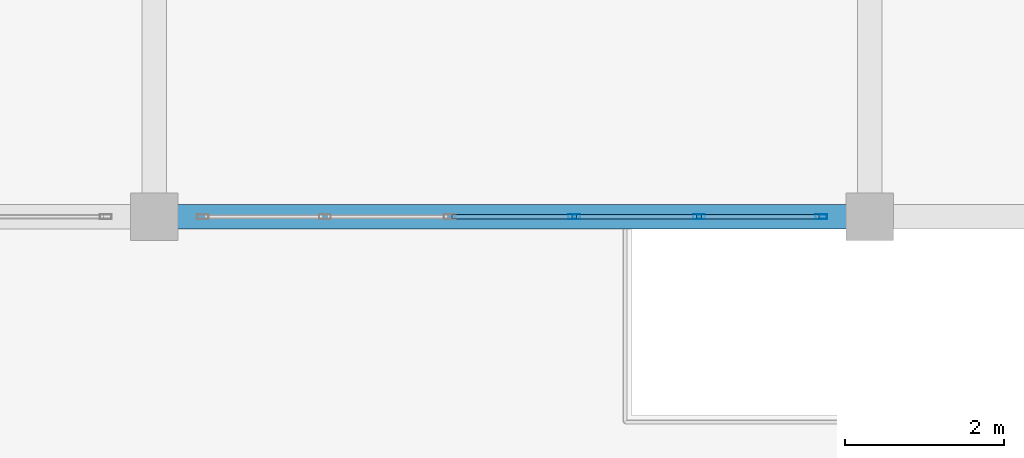
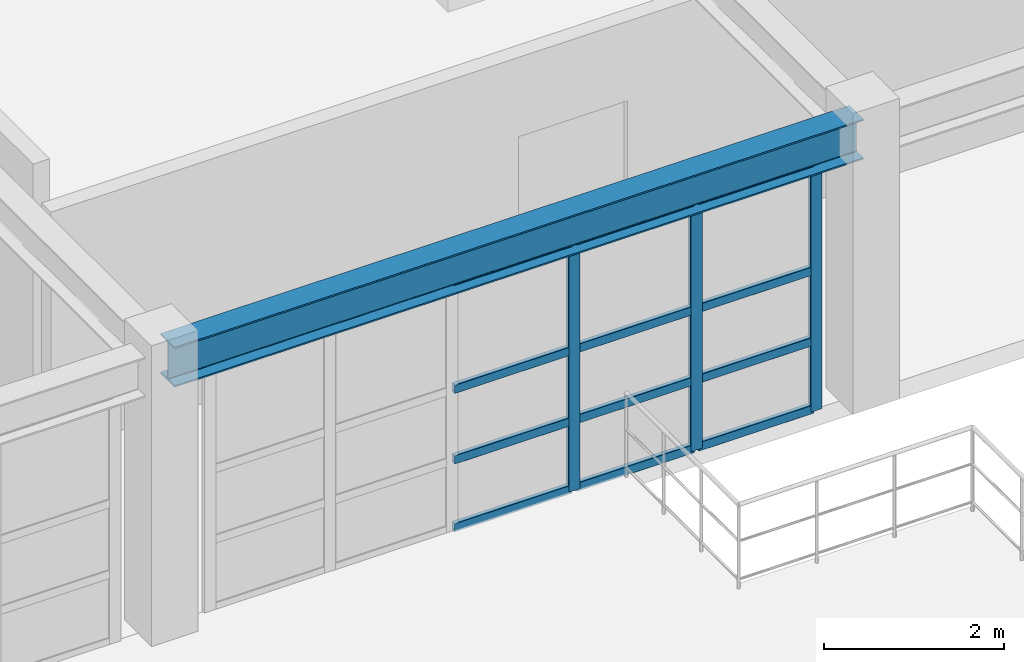
# One storey, part 53 of 80: 15 members, 1 beam, 1 element without a shape of its own.
"""IFC4 building model written with IfcOpenShell, lengths in metres."""

from ifc_helpers import new_model, si_unit, direction, frame, origin, origin_2d, place, context, subcontext, project, spatial, hollow_rectangle, i_section, extrude, material, material_profile, profile_set, type_object, element, aggregate, save


model = new_model("IFC4")

# Units and contexts
model_context = context("Model", 3, precision=1e-05, world=origin(), true_north=direction((0.0, 1.0)))
body_context = subcontext(model_context, "Body", "Model", "MODEL_VIEW")
ifc_project = project(units=[si_unit("LENGTHUNIT", "METRE"), si_unit("AREAUNIT", "SQUARE_METRE"), si_unit("VOLUMEUNIT", "CUBIC_METRE"), si_unit("PLANEANGLEUNIT", "RADIAN"), si_unit("MASSUNIT", "GRAM", prefix="KILO")], contexts=[model_context])

# Site, building, storey
site_placement = place(None, origin())
site = spatial("IfcSite", under=ifc_project, at=site_placement, CompositionType="ELEMENT")
building_placement = place(site_placement, origin())
building = spatial("IfcBuilding", under=site, at=building_placement, Name="Miravela Opera House", CompositionType="ELEMENT")
storey_placement = place(building_placement, frame((0.0, 0.0, 17.679931640625)))
storey = spatial("IfcBuildingStorey", under=building, at=storey_placement, Name="L04", CompositionType="ELEMENT", Elevation=17.679931640625)

# Curtain wall, members
ifc_material_1 = material(Name="Anodised architectural bronze aluminium 6063-T6", Category="aluminium")
curtain_wall_type = type_object("IfcCurtainWallType", Name="ARC-CW-08", PredefinedType="NOTDEFINED", material=ifc_material_1)
curtain_wall_placement = place(storey_placement, origin())
curtain_wall = element("IfcCurtainWall", 1, at=curtain_wall_placement, inside=storey, type_object=curtain_wall_type, Name="Courtyard Arcade Curtain Wall CW-L04-206", PredefinedType="NOTDEFINED")
ifc_material_profile_1 = material_profile(ifc_material_1, hollow_rectangle(XDim=0.06005859375, YDim=0.14990234375, WallThickness=0.00390625, InnerFilletRadius=0.001953125, OuterFilletRadius=0.00390625, at=origin_2d()), Name="CWM-60X150")
ifc_profile_set_1 = profile_set([ifc_material_profile_1])
member_type_1 = type_object("IfcMemberType", Name="ARC-CWM-150", PredefinedType="MULLION", material=ifc_profile_set_1)
member_1_placement = place(storey_placement, frame((104.283935546875, 94.0, 0.0), z_axis=(0.0, 0.0, 1.0), x_axis=(0.0, 1.0, 0.0)))
member_1 = element("IfcMember", 2, at=member_1_placement, type_object=member_type_1, Name="CW-08 mullion 4", PredefinedType="MULLION", context=body_context, shape_type="SweptSolid", body=[
    extrude(hollow_rectangle(XDim=0.06005859375, YDim=0.14990234375, WallThickness=0.00390625, InnerFilletRadius=0.001953125, OuterFilletRadius=0.00390625, at=origin_2d()), origin(), (0.0, 0.0, 1.0), 3.2900390625),
])
member_2_placement = place(storey_placement, frame((105.85205078125, 94.0, 0.0), z_axis=(0.0, 0.0, 1.0), x_axis=(0.0, 1.0, 0.0)))
member_2 = element("IfcMember", 3, at=member_2_placement, type_object=member_type_1, Name="CW-08 mullion 5", PredefinedType="MULLION", context=body_context, shape_type="SweptSolid", body=[
    extrude(hollow_rectangle(XDim=0.06005859375, YDim=0.14990234375, WallThickness=0.00390625, InnerFilletRadius=0.001953125, OuterFilletRadius=0.00390625, at=origin_2d()), origin(), (0.0, 0.0, 1.0), 3.2900390625),
])
member_3_placement = place(storey_placement, frame((107.389892578125, 94.0, 0.0), z_axis=(0.0, 0.0, 1.0), x_axis=(0.0, 1.0, 0.0)))
member_3 = element("IfcMember", 4, at=member_3_placement, type_object=member_type_1, Name="CW-08 mullion 6", PredefinedType="MULLION", context=body_context, shape_type="SweptSolid", body=[
    extrude(hollow_rectangle(XDim=0.06005859375, YDim=0.14990234375, WallThickness=0.00390625, InnerFilletRadius=0.001953125, OuterFilletRadius=0.00390625, at=origin_2d()), origin(), (0.0, 0.0, 1.0), 3.2900390625),
])
ifc_material_profile_2 = material_profile(ifc_material_1, hollow_rectangle(XDim=0.06005859375, YDim=0.114990234375, WallThickness=0.00390625, InnerFilletRadius=0.001953125, OuterFilletRadius=0.00390625, at=origin_2d()), Name="CWT-60X115")
ifc_profile_set_2 = profile_set([ifc_material_profile_2])
member_type_2 = type_object("IfcMemberType", Name="ARC-CWT-115", PredefinedType="USERDEFINED", material=ifc_profile_set_2)
member_4_placement = place(storey_placement, frame((102.74609375, 94.0, 0.030029296875), z_axis=(1.0, 0.0, 0.0), x_axis=(0.0, 1.0, 0.0)))
member_4 = element("IfcMember", 5, at=member_4_placement, type_object=member_type_2, Name="CW-08 transom 3.1", ObjectType="TRANSOM", PredefinedType="USERDEFINED", context=body_context, shape_type="SweptSolid", body=[
    extrude(hollow_rectangle(XDim=0.06005859375, YDim=0.114990234375, WallThickness=0.00390625, InnerFilletRadius=0.001953125, OuterFilletRadius=0.00390625, at=origin_2d()), origin(), (0.0, 0.0, 1.0), 1.5078125),
])
member_5_placement = place(storey_placement, frame((102.74609375, 94.0, 0.949951171875), z_axis=(1.0, 0.0, 0.0), x_axis=(0.0, 1.0, 0.0)))
member_5 = element("IfcMember", 6, at=member_5_placement, type_object=member_type_2, Name="CW-08 transom 3.2", ObjectType="TRANSOM", PredefinedType="USERDEFINED", context=body_context, shape_type="SweptSolid", body=[
    extrude(hollow_rectangle(XDim=0.06005859375, YDim=0.114990234375, WallThickness=0.00390625, InnerFilletRadius=0.001953125, OuterFilletRadius=0.00390625, at=origin_2d()), origin(), (0.0, 0.0, 1.0), 1.5078125),
])
member_6_placement = place(storey_placement, frame((102.74609375, 94.0, 1.908203125), z_axis=(1.0, 0.0, 0.0), x_axis=(0.0, 1.0, 0.0)))
member_6 = element("IfcMember", 7, at=member_6_placement, type_object=member_type_2, Name="CW-08 transom 3.3", ObjectType="TRANSOM", PredefinedType="USERDEFINED", context=body_context, shape_type="SweptSolid", body=[
    extrude(hollow_rectangle(XDim=0.06005859375, YDim=0.114990234375, WallThickness=0.00390625, InnerFilletRadius=0.001953125, OuterFilletRadius=0.00390625, at=origin_2d()), origin(), (0.0, 0.0, 1.0), 1.5078125),
])
member_7_placement = place(storey_placement, frame((102.74609375, 94.0, 3.260009765625), z_axis=(1.0, 0.0, 0.0), x_axis=(0.0, 1.0, 0.0)))
member_7 = element("IfcMember", 8, at=member_7_placement, type_object=member_type_2, Name="CW-08 transom 3.4", ObjectType="TRANSOM", PredefinedType="USERDEFINED", context=body_context, shape_type="SweptSolid", body=[
    extrude(hollow_rectangle(XDim=0.06005859375, YDim=0.114990234375, WallThickness=0.00390625, InnerFilletRadius=0.001953125, OuterFilletRadius=0.00390625, at=origin_2d()), origin(), (0.0, 0.0, 1.0), 1.5078125),
])
member_8_placement = place(storey_placement, frame((104.31396484375, 94.0, 0.030029296875), z_axis=(1.0, 0.0, 0.0), x_axis=(0.0, 1.0, 0.0)))
member_8 = element("IfcMember", 9, at=member_8_placement, type_object=member_type_2, Name="CW-08 transom 4.1", ObjectType="TRANSOM", PredefinedType="USERDEFINED", context=body_context, shape_type="SweptSolid", body=[
    extrude(hollow_rectangle(XDim=0.06005859375, YDim=0.114990234375, WallThickness=0.00390625, InnerFilletRadius=0.001953125, OuterFilletRadius=0.00390625, at=origin_2d()), origin(), (0.0, 0.0, 1.0), 1.508056640625),
])
member_9_placement = place(storey_placement, frame((104.31396484375, 94.0, 0.949951171875), z_axis=(1.0, 0.0, 0.0), x_axis=(0.0, 1.0, 0.0)))
member_9 = element("IfcMember", 10, at=member_9_placement, type_object=member_type_2, Name="CW-08 transom 4.2", ObjectType="TRANSOM", PredefinedType="USERDEFINED", context=body_context, shape_type="SweptSolid", body=[
    extrude(hollow_rectangle(XDim=0.06005859375, YDim=0.114990234375, WallThickness=0.00390625, InnerFilletRadius=0.001953125, OuterFilletRadius=0.00390625, at=origin_2d()), origin(), (0.0, 0.0, 1.0), 1.508056640625),
])
member_10_placement = place(storey_placement, frame((104.31396484375, 94.0, 1.908203125), z_axis=(1.0, 0.0, 0.0), x_axis=(0.0, 1.0, 0.0)))
member_10 = element("IfcMember", 11, at=member_10_placement, type_object=member_type_2, Name="CW-08 transom 4.3", ObjectType="TRANSOM", PredefinedType="USERDEFINED", context=body_context, shape_type="SweptSolid", body=[
    extrude(hollow_rectangle(XDim=0.06005859375, YDim=0.114990234375, WallThickness=0.00390625, InnerFilletRadius=0.001953125, OuterFilletRadius=0.00390625, at=origin_2d()), origin(), (0.0, 0.0, 1.0), 1.508056640625),
])
member_11_placement = place(storey_placement, frame((104.31396484375, 94.0, 3.260009765625), z_axis=(1.0, 0.0, 0.0), x_axis=(0.0, 1.0, 0.0)))
member_11 = element("IfcMember", 12, at=member_11_placement, type_object=member_type_2, Name="CW-08 transom 4.4", ObjectType="TRANSOM", PredefinedType="USERDEFINED", context=body_context, shape_type="SweptSolid", body=[
    extrude(hollow_rectangle(XDim=0.06005859375, YDim=0.114990234375, WallThickness=0.00390625, InnerFilletRadius=0.001953125, OuterFilletRadius=0.00390625, at=origin_2d()), origin(), (0.0, 0.0, 1.0), 1.508056640625),
])
member_12_placement = place(storey_placement, frame((105.882080078125, 94.0, 0.030029296875), z_axis=(1.0, 0.0, 0.0), x_axis=(0.0, 1.0, 0.0)))
member_12 = element("IfcMember", 13, at=member_12_placement, type_object=member_type_2, Name="CW-08 transom 5.1", ObjectType="TRANSOM", PredefinedType="USERDEFINED", context=body_context, shape_type="SweptSolid", body=[
    extrude(hollow_rectangle(XDim=0.06005859375, YDim=0.114990234375, WallThickness=0.00390625, InnerFilletRadius=0.001953125, OuterFilletRadius=0.00390625, at=origin_2d()), origin(), (0.0, 0.0, 1.0), 1.47802734375),
])
member_13_placement = place(storey_placement, frame((105.882080078125, 94.0, 0.949951171875), z_axis=(1.0, 0.0, 0.0), x_axis=(0.0, 1.0, 0.0)))
member_13 = element("IfcMember", 14, at=member_13_placement, type_object=member_type_2, Name="CW-08 transom 5.2", ObjectType="TRANSOM", PredefinedType="USERDEFINED", context=body_context, shape_type="SweptSolid", body=[
    extrude(hollow_rectangle(XDim=0.06005859375, YDim=0.114990234375, WallThickness=0.00390625, InnerFilletRadius=0.001953125, OuterFilletRadius=0.00390625, at=origin_2d()), origin(), (0.0, 0.0, 1.0), 1.47802734375),
])
member_14_placement = place(storey_placement, frame((105.882080078125, 94.0, 1.908203125), z_axis=(1.0, 0.0, 0.0), x_axis=(0.0, 1.0, 0.0)))
member_14 = element("IfcMember", 15, at=member_14_placement, type_object=member_type_2, Name="CW-08 transom 5.3", ObjectType="TRANSOM", PredefinedType="USERDEFINED", context=body_context, shape_type="SweptSolid", body=[
    extrude(hollow_rectangle(XDim=0.06005859375, YDim=0.114990234375, WallThickness=0.00390625, InnerFilletRadius=0.001953125, OuterFilletRadius=0.00390625, at=origin_2d()), origin(), (0.0, 0.0, 1.0), 1.47802734375),
])
member_15_placement = place(storey_placement, frame((105.882080078125, 94.0, 3.260009765625), z_axis=(1.0, 0.0, 0.0), x_axis=(0.0, 1.0, 0.0)))
member_15 = element("IfcMember", 16, at=member_15_placement, type_object=member_type_2, Name="CW-08 transom 5.4", ObjectType="TRANSOM", PredefinedType="USERDEFINED", context=body_context, shape_type="SweptSolid", body=[
    extrude(hollow_rectangle(XDim=0.06005859375, YDim=0.114990234375, WallThickness=0.00390625, InnerFilletRadius=0.001953125, OuterFilletRadius=0.00390625, at=origin_2d()), origin(), (0.0, 0.0, 1.0), 1.47802734375),
])
aggregate(curtain_wall, [member_1, member_2, member_3, member_4, member_5, member_6, member_7, member_8, member_9, member_10, member_11, member_12, member_13, member_14, member_15])

# Beam
ifc_material_2 = material(Name="Structural steel ASTM A992 Gr. 50", Category="steel")
ifc_material_profile_3 = material_profile(ifc_material_2, i_section(OverallWidth=0.31201171875, OverallDepth=0.54296875, WebThickness=0.0126953125, FlangeThickness=0.020263671875, FilletRadius=0.01611328125, at=origin_2d()), Name="W530X150")
ifc_profile_set_3 = profile_set([ifc_material_profile_3])
beam_type = type_object("IfcBeamType", Name="STR-BM-W530X150", PredefinedType="BEAM", material=ifc_profile_set_3)
beam_placement = place(storey_placement, frame((99.080078125, 94.0, 3.568603515625), z_axis=(1.0, 0.0, 0.0), x_axis=(0.0, 1.0, 0.0)))
element("IfcBeam", 17, at=beam_placement, inside=storey, type_object=beam_type, Name="Roof Eave Girder ROOF-V3-TOP S5", PredefinedType="BEAM", context=body_context, shape_type="SweptSolid", body=[
    extrude(i_section(OverallWidth=0.31201171875, OverallDepth=0.54296875, WebThickness=0.0126953125, FlangeThickness=0.020263671875, FilletRadius=0.01611328125, at=origin_2d()), origin(), (0.0, 0.0, 1.0), 8.83984375),
])

save(model, "model.ifc")
